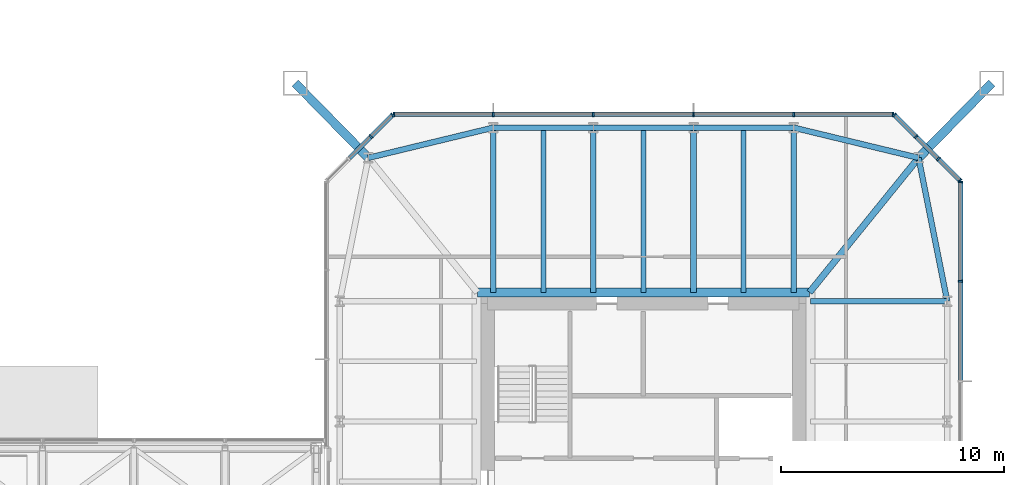
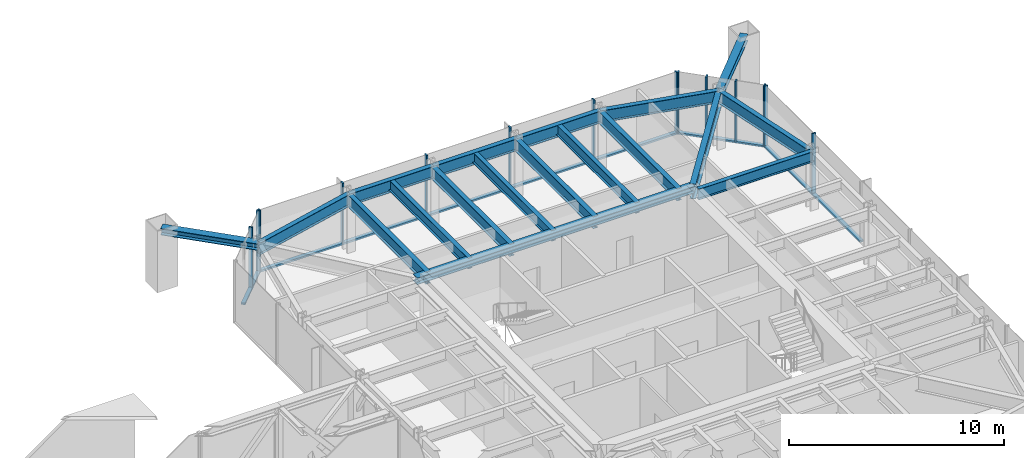
# One storey, part 13 of 28: 28 members, 16 beams, 4 elements without a shape of their own.
"""IFC4 building model written with IfcOpenShell, lengths in metres."""

from ifc_helpers import new_model, si_unit, direction, frame, origin, origin_2d, place, context, subcontext, project, spatial, rectangle, i_section, extrude, material, material_profile, profile_set, type_object, element, aggregate, save


model = new_model("IFC4")

# Units and contexts
model_context = context("Model", 3, precision=1e-05, world=origin(), true_north=direction((0.0, 1.0)))
body_context = subcontext(model_context, "Body", "Model", "MODEL_VIEW")
ifc_project = project(units=[si_unit("LENGTHUNIT", "METRE"), si_unit("AREAUNIT", "SQUARE_METRE"), si_unit("VOLUMEUNIT", "CUBIC_METRE"), si_unit("PLANEANGLEUNIT", "RADIAN"), si_unit("MASSUNIT", "GRAM", prefix="KILO")], contexts=[model_context])

# Site, building, storey
site_placement = place(None, origin())
site = spatial("IfcSite", under=ifc_project, at=site_placement, CompositionType="ELEMENT")
building_placement = place(site_placement, origin())
building = spatial("IfcBuilding", under=site, at=building_placement, Name="Iwan Alto Co-Living Towers", CompositionType="ELEMENT")
storey_placement = place(building_placement, frame((0.0, 0.0, 98.0)))
storey = spatial("IfcBuildingStorey", under=building, at=storey_placement, Name="L26", CompositionType="ELEMENT", Elevation=98.0)

# Curtain wall, members
ifc_material_1 = material(Name="Bronze aluminium unitised frame", Category="aluminium")
curtain_wall_type_1 = type_object("IfcCurtainWallType", Name="CURTAIN WALL CW-C", PredefinedType="NOTDEFINED", material=ifc_material_1)
curtain_wall_1_placement = place(storey_placement, origin())
curtain_wall_1 = element("IfcCurtainWall", 1, at=curtain_wall_1_placement, inside=storey, type_object=curtain_wall_type_1, Name="T2 curtain wall E L26", PredefinedType="NOTDEFINED")
ifc_material_2 = material(Name="Aluminium 6063-T6 bronze anodised", Category="aluminium")
ifc_material_profile_1 = material_profile(ifc_material_2, rectangle(XDim=0.199951171875, YDim=0.080078125, at=origin_2d()), Name="AL 80X200")
ifc_profile_set_1 = profile_set([ifc_material_profile_1], Name="Aluminium 6063-T6 bronze anodised")
member_type_1 = type_object("IfcMemberType", Name="CW-C MULLION 80X200", PredefinedType="MULLION", material=ifc_profile_set_1)
member_1_placement = place(storey_placement, frame((77.25, 9.0, 0.0), z_axis=(0.0, 0.0, 1.0), x_axis=(-1.0, 0.0, 0.0)))
member_1 = element("IfcMember", 2, at=member_1_placement, type_object=member_type_1, Name="CW-C mullion 6", PredefinedType="MULLION", context=body_context, shape_type="SweptSolid", body=[
    extrude(rectangle(XDim=0.199951171875, YDim=0.080078125, at=origin_2d()), origin(), (0.0, 0.0, 1.0), 3.5),
])
member_2_placement = place(storey_placement, frame((77.25, 13.4599609375, 0.0), z_axis=(0.0, 0.0, 1.0), x_axis=(-1.0, 0.0, 0.0)))
member_2 = element("IfcMember", 3, at=member_2_placement, type_object=member_type_1, Name="CW-C mullion 7", PredefinedType="MULLION", context=body_context, shape_type="SweptSolid", body=[
    extrude(rectangle(XDim=0.199951171875, YDim=0.080078125, at=origin_2d()), origin(), (0.0, 0.0, 1.0), 3.5),
])

curtain_wall_2_placement = place(storey_placement, origin())
curtain_wall_2 = element("IfcCurtainWall", 4, at=curtain_wall_2_placement, inside=storey, type_object=curtain_wall_type_1, Name="T2 curtain wall N L26", PredefinedType="NOTDEFINED")
member_3_placement = place(storey_placement, frame((74.2099609375, 16.5, 0.0), z_axis=(0.0, 0.0, 1.0), x_axis=(0.0, -1.0, 0.0)))
member_3 = element("IfcMember", 5, at=member_3_placement, type_object=member_type_1, Name="CW-C mullion 1", PredefinedType="MULLION", context=body_context, shape_type="SweptSolid", body=[
    extrude(rectangle(XDim=0.199951171875, YDim=0.080078125, at=origin_2d()), origin(), (0.0, 0.0, 1.0), 3.5),
])
member_4_placement = place(storey_placement, frame((69.75, 16.5, 0.0), z_axis=(0.0, 0.0, 1.0), x_axis=(0.0, -1.0, 0.0)))
member_4 = element("IfcMember", 6, at=member_4_placement, type_object=member_type_1, Name="CW-C mullion 2", PredefinedType="MULLION", context=body_context, shape_type="SweptSolid", body=[
    extrude(rectangle(XDim=0.199951171875, YDim=0.080078125, at=origin_2d()), origin(), (0.0, 0.0, 1.0), 3.5),
])
member_5_placement = place(storey_placement, frame((65.25, 16.5, 0.0), z_axis=(0.0, 0.0, 1.0), x_axis=(0.0, -1.0, 0.0)))
member_5 = element("IfcMember", 7, at=member_5_placement, type_object=member_type_1, Name="CW-C mullion 3", PredefinedType="MULLION", context=body_context, shape_type="SweptSolid", body=[
    extrude(rectangle(XDim=0.199951171875, YDim=0.080078125, at=origin_2d()), origin(), (0.0, 0.0, 1.0), 3.5),
])
member_6_placement = place(storey_placement, frame((60.75, 16.5, 0.0), z_axis=(0.0, 0.0, 1.0), x_axis=(0.0, -1.0, 0.0)))
member_6 = element("IfcMember", 8, at=member_6_placement, type_object=member_type_1, Name="CW-C mullion 4", PredefinedType="MULLION", context=body_context, shape_type="SweptSolid", body=[
    extrude(rectangle(XDim=0.199951171875, YDim=0.080078125, at=origin_2d()), origin(), (0.0, 0.0, 1.0), 3.5),
])
member_7_placement = place(storey_placement, frame((56.25, 16.5, 0.0), z_axis=(0.0, 0.0, 1.0), x_axis=(0.0, -1.0, 0.0)))
member_7 = element("IfcMember", 9, at=member_7_placement, type_object=member_type_1, Name="CW-C mullion 5", PredefinedType="MULLION", context=body_context, shape_type="SweptSolid", body=[
    extrude(rectangle(XDim=0.199951171875, YDim=0.080078125, at=origin_2d()), origin(), (0.0, 0.0, 1.0), 3.5),
])
member_8_placement = place(storey_placement, frame((51.7900390625, 16.5, 0.0), z_axis=(0.0, 0.0, 1.0), x_axis=(0.0, -1.0, 0.0)))
member_8 = element("IfcMember", 10, at=member_8_placement, type_object=member_type_1, Name="CW-C mullion 6", PredefinedType="MULLION", context=body_context, shape_type="SweptSolid", body=[
    extrude(rectangle(XDim=0.199951171875, YDim=0.080078125, at=origin_2d()), origin(), (0.0, 0.0, 1.0), 3.5),
])

# Member
ifc_material_3 = material(Name="Aluminium 6063-T6 bronze anodised", Category="aluminium")
ifc_material_profile_2 = material_profile(ifc_material_3, rectangle(XDim=0.199951171875, YDim=0.10009765625, at=origin_2d()), Name="AL 200X100")
ifc_profile_set_2 = profile_set([ifc_material_profile_2], Name="Aluminium 6063-T6 bronze anodised")
member_type_2 = type_object("IfcMemberType", Name="CW-C TRANSOM 200X100", PredefinedType="USERDEFINED", material=ifc_profile_set_2)
member_9_placement = place(storey_placement, frame((77.25, 4.5400390625, 0.050048828125), z_axis=(0.0, 1.0, 0.0), x_axis=(-1.0, 0.0, 0.0)))
member_9 = element("IfcMember", 11, at=member_9_placement, type_object=member_type_2, Name="CW-C transom 5.1", ObjectType="TRANSOM", PredefinedType="USERDEFINED", context=body_context, shape_type="SweptSolid", body=[
    extrude(rectangle(XDim=0.199951171875, YDim=0.10009765625, at=origin_2d()), origin(), (0.0, 0.0, 1.0), 4.419921875),
])

member_10_placement = place(storey_placement, frame((77.25, 9.0400390625, 0.050048828125), z_axis=(0.0, 1.0, 0.0), x_axis=(-1.0, 0.0, 0.0)))
member_10 = element("IfcMember", 12, at=member_10_placement, type_object=member_type_2, Name="CW-C transom 6.1", ObjectType="TRANSOM", PredefinedType="USERDEFINED", context=body_context, shape_type="SweptSolid", body=[
    extrude(rectangle(XDim=0.199951171875, YDim=0.10009765625, at=origin_2d()), origin(), (0.0, 0.0, 1.0), 4.3798828125),
])

aggregate(curtain_wall_1, [member_1, member_2, member_9, member_10])

member_11_placement = place(storey_placement, frame((74.169921875, 16.5, 0.050048828125), z_axis=(-1.0, 0.0, 0.0), x_axis=(0.0, -1.0, 0.0)))
member_11 = element("IfcMember", 13, at=member_11_placement, type_object=member_type_2, Name="CW-C transom 1.1", ObjectType="TRANSOM", PredefinedType="USERDEFINED", context=body_context, shape_type="SweptSolid", body=[
    extrude(rectangle(XDim=0.199951171875, YDim=0.10009765625, at=origin_2d()), origin(), (0.0, 0.0, 1.0), 4.3798828125),
])

member_12_placement = place(storey_placement, frame((69.7099609375, 16.5, 0.050048828125), z_axis=(-1.0, 0.0, 0.0), x_axis=(0.0, -1.0, 0.0)))
member_12 = element("IfcMember", 14, at=member_12_placement, type_object=member_type_2, Name="CW-C transom 2.1", ObjectType="TRANSOM", PredefinedType="USERDEFINED", context=body_context, shape_type="SweptSolid", body=[
    extrude(rectangle(XDim=0.199951171875, YDim=0.10009765625, at=origin_2d()), origin(), (0.0, 0.0, 1.0), 4.419921875),
])

member_13_placement = place(storey_placement, frame((65.2099609375, 16.5, 0.050048828125), z_axis=(-1.0, 0.0, 0.0), x_axis=(0.0, -1.0, 0.0)))
member_13 = element("IfcMember", 15, at=member_13_placement, type_object=member_type_2, Name="CW-C transom 3.1", ObjectType="TRANSOM", PredefinedType="USERDEFINED", context=body_context, shape_type="SweptSolid", body=[
    extrude(rectangle(XDim=0.199951171875, YDim=0.10009765625, at=origin_2d()), origin(), (0.0, 0.0, 1.0), 4.419921875),
])

member_14_placement = place(storey_placement, frame((60.7099609375, 16.5, 0.050048828125), z_axis=(-1.0, 0.0, 0.0), x_axis=(0.0, -1.0, 0.0)))
member_14 = element("IfcMember", 16, at=member_14_placement, type_object=member_type_2, Name="CW-C transom 4.1", ObjectType="TRANSOM", PredefinedType="USERDEFINED", context=body_context, shape_type="SweptSolid", body=[
    extrude(rectangle(XDim=0.199951171875, YDim=0.10009765625, at=origin_2d()), origin(), (0.0, 0.0, 1.0), 4.419921875),
])

member_15_placement = place(storey_placement, frame((56.2099609375, 16.5, 0.050048828125), z_axis=(-1.0, 0.0, 0.0), x_axis=(0.0, -1.0, 0.0)))
member_15 = element("IfcMember", 17, at=member_15_placement, type_object=member_type_2, Name="CW-C transom 5.1", ObjectType="TRANSOM", PredefinedType="USERDEFINED", context=body_context, shape_type="SweptSolid", body=[
    extrude(rectangle(XDim=0.199951171875, YDim=0.10009765625, at=origin_2d()), origin(), (0.0, 0.0, 1.0), 4.3798828125),
])

aggregate(curtain_wall_2, [member_3, member_4, member_5, member_6, member_7, member_8, member_11, member_12, member_13, member_14, member_15])

# Curtain wall, members
ifc_material_4 = material(Name="Bronze aluminium unitised frame", Category="aluminium")
curtain_wall_type_2 = type_object("IfcCurtainWallType", Name="CURTAIN WALL CW-D", PredefinedType="NOTDEFINED", material=ifc_material_4)
curtain_wall_3_placement = place(storey_placement, origin())
curtain_wall_3 = element("IfcCurtainWall", 18, at=curtain_wall_3_placement, inside=storey, type_object=curtain_wall_type_2, Name="T2 chamfer curtain wall NE L26", PredefinedType="NOTDEFINED")
ifc_material_5 = material(Name="Aluminium 6063-T6 bronze anodised", Category="aluminium")
ifc_material_profile_3 = material_profile(ifc_material_5, rectangle(XDim=0.199951171875, YDim=0.080078125, at=origin_2d()), Name="AL 80X200")
ifc_profile_set_3 = profile_set([ifc_material_profile_3], Name="Aluminium 6063-T6 bronze anodised")
member_type_3 = type_object("IfcMemberType", Name="CW-D MULLION 80X200", PredefinedType="MULLION", material=ifc_profile_set_3)
member_16_placement = place(storey_placement, frame((77.2216796875, 13.5283203125, 0.0), z_axis=(0.0, 0.0, 1.0), x_axis=(-0.707106781187, -0.707106781187, 0.0)))
member_16 = element("IfcMember", 19, at=member_16_placement, type_object=member_type_3, Name="CW-D mullion 1", PredefinedType="MULLION", context=body_context, shape_type="SweptSolid", body=[
    extrude(rectangle(XDim=0.199951171875, YDim=0.080078125, at=origin_2d()), origin(), (0.0, 0.0, 1.0), 3.5),
])
member_17_placement = place(storey_placement, frame((76.25, 14.5, 0.0), z_axis=(0.0, 0.0, 1.0), x_axis=(-0.707106781187, -0.707106781187, 0.0)))
member_17 = element("IfcMember", 20, at=member_17_placement, type_object=member_type_3, Name="CW-D mullion 2", PredefinedType="MULLION", context=body_context, shape_type="SweptSolid", body=[
    extrude(rectangle(XDim=0.199951171875, YDim=0.080078125, at=origin_2d()), origin(), (0.0, 0.0, 1.0), 3.5),
])
member_18_placement = place(storey_placement, frame((75.25, 15.5, 0.0), z_axis=(0.0, 0.0, 1.0), x_axis=(-0.707106781187, -0.707106781187, 0.0)))
member_18 = element("IfcMember", 21, at=member_18_placement, type_object=member_type_3, Name="CW-D mullion 3", PredefinedType="MULLION", context=body_context, shape_type="SweptSolid", body=[
    extrude(rectangle(XDim=0.199951171875, YDim=0.080078125, at=origin_2d()), origin(), (0.0, 0.0, 1.0), 3.5),
])
member_19_placement = place(storey_placement, frame((74.2783203125, 16.4716796875, 0.0), z_axis=(0.0, 0.0, 1.0), x_axis=(-0.707106781187, -0.707106781187, 0.0)))
member_19 = element("IfcMember", 22, at=member_19_placement, type_object=member_type_3, Name="CW-D mullion 4", PredefinedType="MULLION", context=body_context, shape_type="SweptSolid", body=[
    extrude(rectangle(XDim=0.199951171875, YDim=0.080078125, at=origin_2d()), origin(), (0.0, 0.0, 1.0), 3.5),
])

curtain_wall_4_placement = place(storey_placement, origin())
curtain_wall_4 = element("IfcCurtainWall", 23, at=curtain_wall_4_placement, inside=storey, type_object=curtain_wall_type_2, Name="T2 chamfer curtain wall NW L26", PredefinedType="NOTDEFINED")
member_20_placement = place(storey_placement, frame((51.7216796875, 16.4716796875, 0.0), z_axis=(0.0, 0.0, 1.0), x_axis=(0.707106781187, -0.707106781187, 0.0)))
member_20 = element("IfcMember", 24, at=member_20_placement, type_object=member_type_3, Name="CW-D mullion 1", PredefinedType="MULLION", context=body_context, shape_type="SweptSolid", body=[
    extrude(rectangle(XDim=0.199951171875, YDim=0.080078125, at=origin_2d()), origin(), (0.0, 0.0, 1.0), 3.5),
])
member_21_placement = place(storey_placement, frame((50.75, 15.5, 0.0), z_axis=(0.0, 0.0, 1.0), x_axis=(0.707106781187, -0.707106781187, 0.0)))
member_21 = element("IfcMember", 25, at=member_21_placement, type_object=member_type_3, Name="CW-D mullion 2", PredefinedType="MULLION", context=body_context, shape_type="SweptSolid", body=[
    extrude(rectangle(XDim=0.199951171875, YDim=0.080078125, at=origin_2d()), origin(), (0.0, 0.0, 1.0), 3.5),
])

# Member
ifc_material_6 = material(Name="Aluminium 6063-T6 bronze anodised", Category="aluminium")
ifc_material_profile_4 = material_profile(ifc_material_6, rectangle(XDim=0.199951171875, YDim=0.10009765625, at=origin_2d()), Name="AL 200X100")
ifc_profile_set_4 = profile_set([ifc_material_profile_4], Name="Aluminium 6063-T6 bronze anodised")
member_type_4 = type_object("IfcMemberType", Name="CW-D TRANSOM 200X100", PredefinedType="USERDEFINED", material=ifc_profile_set_4)
member_22_placement = place(storey_placement, frame((77.193359375, 13.556640625, 0.050048828125), z_axis=(-0.707106781187, 0.707106781187, 0.0), x_axis=(-0.707106781187, -0.707106781187, 0.0)))
member_22 = element("IfcMember", 26, at=member_22_placement, type_object=member_type_4, Name="CW-D transom 1.1", ObjectType="TRANSOM", PredefinedType="USERDEFINED", context=body_context, shape_type="SweptSolid", body=[
    extrude(rectangle(XDim=0.199951171875, YDim=0.10009765625, at=origin_2d()), origin(), (0.0, 0.0, 1.0), 1.2939453125),
])

member_23_placement = place(storey_placement, frame((76.2216796875, 14.5283203125, 0.050048828125), z_axis=(-0.707106781187, 0.707106781187, 0.0), x_axis=(-0.707106781187, -0.707106781187, 0.0)))
member_23 = element("IfcMember", 27, at=member_23_placement, type_object=member_type_4, Name="CW-D transom 2.1", ObjectType="TRANSOM", PredefinedType="USERDEFINED", context=body_context, shape_type="SweptSolid", body=[
    extrude(rectangle(XDim=0.199951171875, YDim=0.10009765625, at=origin_2d()), origin(), (0.0, 0.0, 1.0), 1.334228515625),
])

member_24_placement = place(storey_placement, frame((75.2216796875, 15.5283203125, 0.050048828125), z_axis=(-0.707106781187, 0.707106781187, 0.0), x_axis=(-0.707106781187, -0.707106781187, 0.0)))
member_24 = element("IfcMember", 28, at=member_24_placement, type_object=member_type_4, Name="CW-D transom 3.1", ObjectType="TRANSOM", PredefinedType="USERDEFINED", context=body_context, shape_type="SweptSolid", body=[
    extrude(rectangle(XDim=0.199951171875, YDim=0.10009765625, at=origin_2d()), origin(), (0.0, 0.0, 1.0), 1.2939453125),
])

aggregate(curtain_wall_3, [member_16, member_17, member_18, member_19, member_22, member_23, member_24])

member_25_placement = place(storey_placement, frame((51.693359375, 16.443359375, 0.050048828125), z_axis=(-0.707106781187, -0.707106781187, 0.0), x_axis=(0.707106781187, -0.707106781187, 0.0)))
member_25 = element("IfcMember", 29, at=member_25_placement, type_object=member_type_4, Name="CW-D transom 1.1", ObjectType="TRANSOM", PredefinedType="USERDEFINED", context=body_context, shape_type="SweptSolid", body=[
    extrude(rectangle(XDim=0.199951171875, YDim=0.10009765625, at=origin_2d()), origin(), (0.0, 0.0, 1.0), 1.2939453125),
])

member_26_placement = place(storey_placement, frame((50.7216796875, 15.4716796875, 0.050048828125), z_axis=(-0.707106781187, -0.707106781187, 0.0), x_axis=(0.707106781187, -0.707106781187, 0.0)))
member_26 = element("IfcMember", 30, at=member_26_placement, type_object=member_type_4, Name="CW-D transom 2.1", ObjectType="TRANSOM", PredefinedType="USERDEFINED", context=body_context, shape_type="SweptSolid", body=[
    extrude(rectangle(XDim=0.199951171875, YDim=0.10009765625, at=origin_2d()), origin(), (0.0, 0.0, 1.0), 1.334228515625),
])

aggregate(curtain_wall_4, [member_20, member_21, member_25, member_26])

# Beams
ifc_material_7 = material(Name="Steel ASTM A992 Gr 50", Category="steel")
ifc_material_profile_5 = material_profile(ifc_material_7, i_section(OverallWidth=0.398681640625, OverallDepth=0.385986328125, WebThickness=0.02099609375, FlangeThickness=0.033203125, at=origin_2d()), Name="W14X176")
ifc_profile_set_5 = profile_set([ifc_material_profile_5], Name="Steel ASTM A992 Gr 50")
beam_type_1 = type_object("IfcBeamType", Name="T2 CORE LEDGER BEAM W14X176", PredefinedType="BEAM", material=ifc_profile_set_5)
beam_1_placement = place(storey_placement, frame((70.461669921875, 8.49951171875, 3.076904296875), z_axis=(-1.0, 0.0, 0.0), x_axis=(0.0, -1.0, 0.0)))
element("IfcBeam", 31, at=beam_1_placement, inside=storey, type_object=beam_type_1, Name="T2 core ledger beam N L27", PredefinedType="BEAM", context=body_context, shape_type="SweptSolid", body=[
    extrude(i_section(OverallWidth=0.398681640625, OverallDepth=0.385986328125, WebThickness=0.02099609375, FlangeThickness=0.033203125, at=origin_2d()), origin(), (0.0, 0.0, 1.0), 14.92333984375),
])
ifc_material_8 = material(Name="Steel ASTM A992 Gr 50", Category="steel")
ifc_material_profile_6 = material_profile(ifc_material_8, i_section(OverallWidth=0.2919921875, OverallDepth=0.8408203125, WebThickness=0.0146484375, FlangeThickness=0.021728515625, at=origin_2d()), Name="W33X130")
ifc_profile_set_6 = profile_set([ifc_material_profile_6], Name="Steel ASTM A992 Gr 50")
beam_type_2 = type_object("IfcBeamType", Name="T2 CORNER GIRDER W33X130", PredefinedType="BEAM", material=ifc_profile_set_6)
beam_2_placement = place(storey_placement, frame((75.361328125, 14.542724609375, 2.849609375), z_axis=(-0.629783024592, -0.776771100091, 0.0), x_axis=(0.776771100091, -0.629783024592, 0.0)))
element("IfcBeam", 32, at=beam_2_placement, inside=storey, type_object=beam_type_2, Name="T2 corner girder CNE L27", PredefinedType="BEAM", context=body_context, shape_type="SweptSolid", body=[
    extrude(i_section(OverallWidth=0.2919921875, OverallDepth=0.8408203125, WebThickness=0.0146484375, FlangeThickness=0.021728515625, at=origin_2d()), origin(), (0.0, 0.0, 1.0), 7.780029296875),
])
ifc_material_9 = material(Name="Steel ASTM A992 Gr 50", Category="steel")
ifc_material_profile_7 = material_profile(ifc_material_9, i_section(OverallWidth=0.25390625, OverallDepth=0.683349609375, WebThickness=0.012451171875, FlangeThickness=0.018798828125, at=origin_2d()), Name="W27X94")
ifc_profile_set_7 = profile_set([ifc_material_profile_7], Name="Steel ASTM A992 Gr 50")
beam_type_3 = type_object("IfcBeamType", Name="T2 EDGE BEAM W27X94", PredefinedType="BEAM", material=ifc_profile_set_7)
beam_3_placement = place(storey_placement, frame((76.64990234375, 8.10009765625, 2.928466796875), z_axis=(-0.196123281025, 0.980579246487, 0.0), x_axis=(-0.980579246487, -0.196123281025, 0.0)))
element("IfcBeam", 33, at=beam_3_placement, inside=storey, type_object=beam_type_3, Name="T2 edge beam E4 L27", PredefinedType="BEAM", context=body_context, shape_type="SweptSolid", body=[
    extrude(i_section(OverallWidth=0.25390625, OverallDepth=0.683349609375, WebThickness=0.012451171875, FlangeThickness=0.018798828125, at=origin_2d()), origin(), (0.0, 0.0, 1.0), 6.5703125),
])
beam_4_placement = place(storey_placement, frame((75.361328125, 14.542724609375, 2.928466796875), z_axis=(-0.971974673138, 0.235085590323, 0.0), x_axis=(-0.235085590323, -0.971974673138, 0.0)))
element("IfcBeam", 34, at=beam_4_placement, inside=storey, type_object=beam_type_3, Name="T2 edge beam CNE L27", PredefinedType="BEAM", context=body_context, shape_type="SweptSolid", body=[
    extrude(i_section(OverallWidth=0.25390625, OverallDepth=0.683349609375, WebThickness=0.012451171875, FlangeThickness=0.018798828125, at=origin_2d()), origin(), (0.0, 0.0, 1.0), 5.773193359375),
])
for number, where, z_axis, x_axis, name in (
    (35, (69.75, 15.89990234375, 2.928466796875), (-1.0, 0.0, 0.0), (0.0, -1.0, 0.0), "T2 edge beam N1 L27"),
    (36, (65.25, 15.89990234375, 2.928466796875), (-1.0, 0.0, 0.0), (0.0, -1.0, 0.0), "T2 edge beam N2 L27"),
    (37, (60.75, 15.89990234375, 2.928466796875), (-1.0, 0.0, 0.0), (0.0, -1.0, 0.0), "T2 edge beam N3 L27"),
):
    element("IfcBeam", number, at=place(storey_placement, frame(where, z_axis=z_axis, x_axis=x_axis)), inside=storey, type_object=beam_type_3, Name=name, PredefinedType="BEAM", context=body_context, shape_type="SweptSolid", body=[
        extrude(i_section(OverallWidth=0.25390625, OverallDepth=0.683349609375, WebThickness=0.012451171875, FlangeThickness=0.018798828125, at=origin_2d()), origin(), (0.0, 0.0, 1.0), 4.5),
    ])
beam_5_placement = place(storey_placement, frame((56.25, 15.89990234375, 2.928466796875), z_axis=(-0.971974673138, -0.235085590323, 0.0), x_axis=(0.235085590323, -0.971974673138, 0.0)))
element("IfcBeam", 38, at=beam_5_placement, inside=storey, type_object=beam_type_3, Name="T2 edge beam N4 L27", PredefinedType="BEAM", context=body_context, shape_type="SweptSolid", body=[
    extrude(i_section(OverallWidth=0.25390625, OverallDepth=0.683349609375, WebThickness=0.012451171875, FlangeThickness=0.018798828125, at=origin_2d()), origin(), (0.0, 0.0, 1.0), 5.773193359375),
])

# Members
ifc_material_10 = material(Name="Steel ASTM A992 Gr 50", Category="steel")
ifc_material_profile_8 = material_profile(ifc_material_10, i_section(OverallWidth=0.393798828125, OverallDepth=0.3759765625, WebThickness=0.017333984375, FlangeThickness=0.027587890625, at=origin_2d()), Name="W14X145")
ifc_profile_set_8 = profile_set([ifc_material_profile_8], Name="Steel ASTM A992 Gr 50")
member_type_5 = type_object("IfcMemberType", Name="T2 MEGA COLUMN FLOOR TIE W14X145", PredefinedType="STRUT", material=ifc_profile_set_8)
for number, where, z_axis, x_axis, name in (
    (39, (78.64990234375, 17.89990234375, 3.08203125), (-0.699770096147, -0.714368121166, 0.0), (0.714368121166, -0.699770096147, 0.0), "T2 mega column floor tie NE L27"),
    (40, (47.35009765625, 17.89990234375, 3.08203125), (0.699770096147, -0.714368121166, 0.0), (0.714368121166, 0.699770096147, 0.0), "T2 mega column floor tie NW L27"),
):
    element("IfcMember", number, at=place(storey_placement, frame(where, z_axis=z_axis, x_axis=x_axis)), inside=storey, type_object=member_type_5, Name=name, PredefinedType="STRUT", context=body_context, shape_type="SweptSolid", body=[
        extrude(i_section(OverallWidth=0.393798828125, OverallDepth=0.3759765625, WebThickness=0.017333984375, FlangeThickness=0.027587890625, at=origin_2d()), origin(), (0.0, 0.0, 1.0), 4.699462890625),
    ])

# Beams
ifc_material_11 = material(Name="Steel ASTM A992 Gr 50", Category="steel")
ifc_material_profile_9 = material_profile(ifc_material_11, i_section(OverallWidth=0.228271484375, OverallDepth=0.607177734375, WebThickness=0.01123046875, FlangeThickness=0.017333984375, at=origin_2d()), Name="W24X76")
ifc_profile_set_9 = profile_set([ifc_material_profile_9], Name="Steel ASTM A992 Gr 50")
beam_type_4 = type_object("IfcBeamType", Name="T2 RADIAL BEAM W24X76", PredefinedType="BEAM", material=ifc_profile_set_9)
beam_6_placement = place(storey_placement, frame((76.64990234375, 8.10009765625, 2.966552734375), z_axis=(-1.0, 0.0, 0.0), x_axis=(0.0, -1.0, 0.0)))
element("IfcBeam", 41, at=beam_6_placement, inside=storey, type_object=beam_type_4, Name="T2 radial beam E4 L27", PredefinedType="BEAM", context=body_context, shape_type="SweptSolid", body=[
    extrude(i_section(OverallWidth=0.228271484375, OverallDepth=0.607177734375, WebThickness=0.01123046875, FlangeThickness=0.017333984375, at=origin_2d()), origin(), (0.0, 0.0, 1.0), 6.150390625),
])
ifc_material_12 = material(Name="Steel ASTM A992 Gr 50", Category="steel")
ifc_material_profile_10 = material_profile(ifc_material_12, i_section(OverallWidth=0.25390625, OverallDepth=0.683349609375, WebThickness=0.012451171875, FlangeThickness=0.018798828125, at=origin_2d()), Name="W27X94")
ifc_profile_set_10 = profile_set([ifc_material_profile_10], Name="Steel ASTM A992 Gr 50")
beam_type_5 = type_object("IfcBeamType", Name="T2 RADIAL BEAM W27X94", PredefinedType="BEAM", material=ifc_profile_set_10)
for number, where, z_axis, x_axis, name in (
    (42, (69.75, 15.89990234375, 2.928466796875), (0.0, -1.0, 0.0), (1.0, 0.0, 0.0), "T2 radial beam N1 L27"),
    (43, (65.25, 15.89990234375, 2.928466796875), (0.0, -1.0, 0.0), (1.0, 0.0, 0.0), "T2 radial beam N2 L27"),
    (44, (60.75, 15.89990234375, 2.928466796875), (0.0, -1.0, 0.0), (1.0, 0.0, 0.0), "T2 radial beam N3 L27"),
    (45, (56.25, 15.89990234375, 2.928466796875), (0.0, -1.0, 0.0), (1.0, 0.0, 0.0), "T2 radial beam N4 L27"),
):
    element("IfcBeam", number, at=place(storey_placement, frame(where, z_axis=z_axis, x_axis=x_axis)), inside=storey, type_object=beam_type_5, Name=name, PredefinedType="BEAM", context=body_context, shape_type="SweptSolid", body=[
        extrude(i_section(OverallWidth=0.25390625, OverallDepth=0.683349609375, WebThickness=0.012451171875, FlangeThickness=0.018798828125, at=origin_2d()), origin(), (0.0, 0.0, 1.0), 7.400390625),
    ])
ifc_material_13 = material(Name="Steel ASTM A992 Gr 50", Category="steel")
ifc_material_profile_11 = material_profile(ifc_material_13, i_section(OverallWidth=0.228271484375, OverallDepth=0.607177734375, WebThickness=0.01123046875, FlangeThickness=0.017333984375, at=origin_2d()), Name="W24X76")
ifc_profile_set_11 = profile_set([ifc_material_profile_11], Name="Steel ASTM A992 Gr 50")
beam_type_6 = type_object("IfcBeamType", Name="T2 SECONDARY BEAM W24X76", PredefinedType="JOIST", material=ifc_profile_set_11)
for number, where, z_axis, x_axis, name in (
    (46, (67.5, 15.89990234375, 2.966552734375), (0.0, -1.0, 0.0), (1.0, 0.0, 0.0), "T2 secondary beam N1 L27"),
    (47, (63.0, 15.89990234375, 2.966552734375), (0.0, -1.0, 0.0), (1.0, 0.0, 0.0), "T2 secondary beam N2 L27"),
    (48, (58.5, 15.89990234375, 2.966552734375), (0.0, -1.0, 0.0), (1.0, 0.0, 0.0), "T2 secondary beam N3 L27"),
):
    element("IfcBeam", number, at=place(storey_placement, frame(where, z_axis=z_axis, x_axis=x_axis)), inside=storey, type_object=beam_type_6, Name=name, PredefinedType="JOIST", context=body_context, shape_type="SweptSolid", body=[
        extrude(i_section(OverallWidth=0.228271484375, OverallDepth=0.607177734375, WebThickness=0.01123046875, FlangeThickness=0.017333984375, at=origin_2d()), origin(), (0.0, 0.0, 1.0), 7.400390625),
    ])

save(model, "model.ifc")
